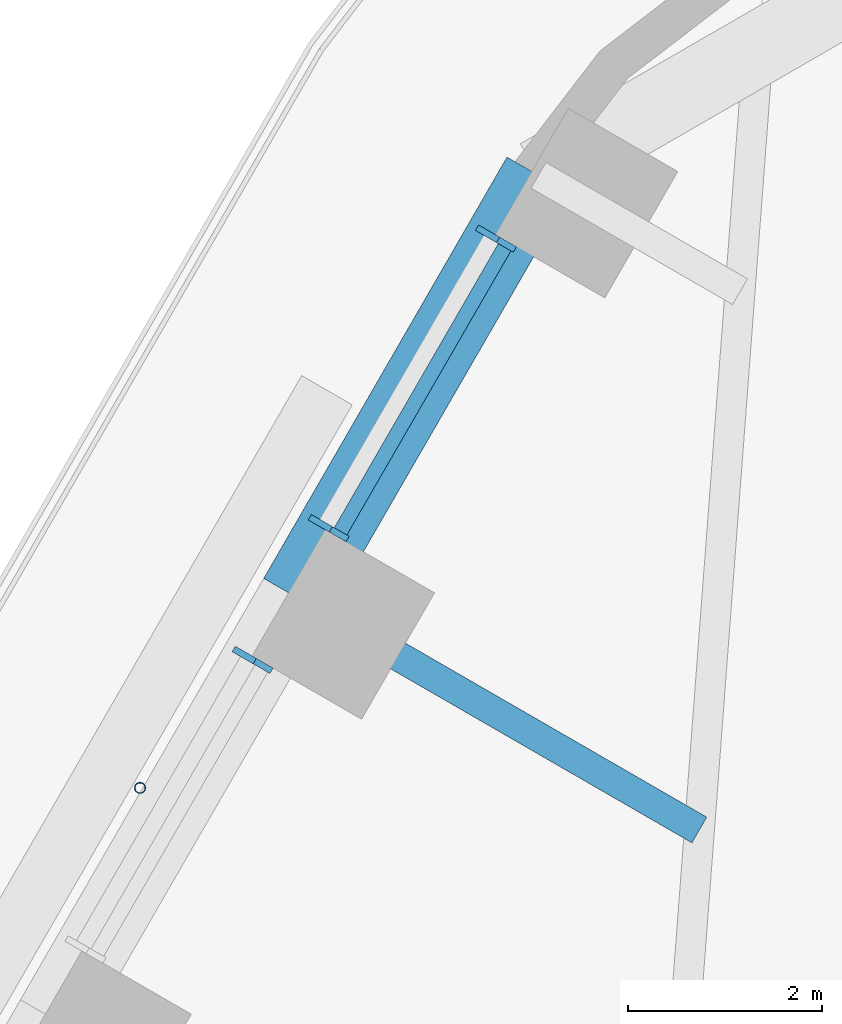
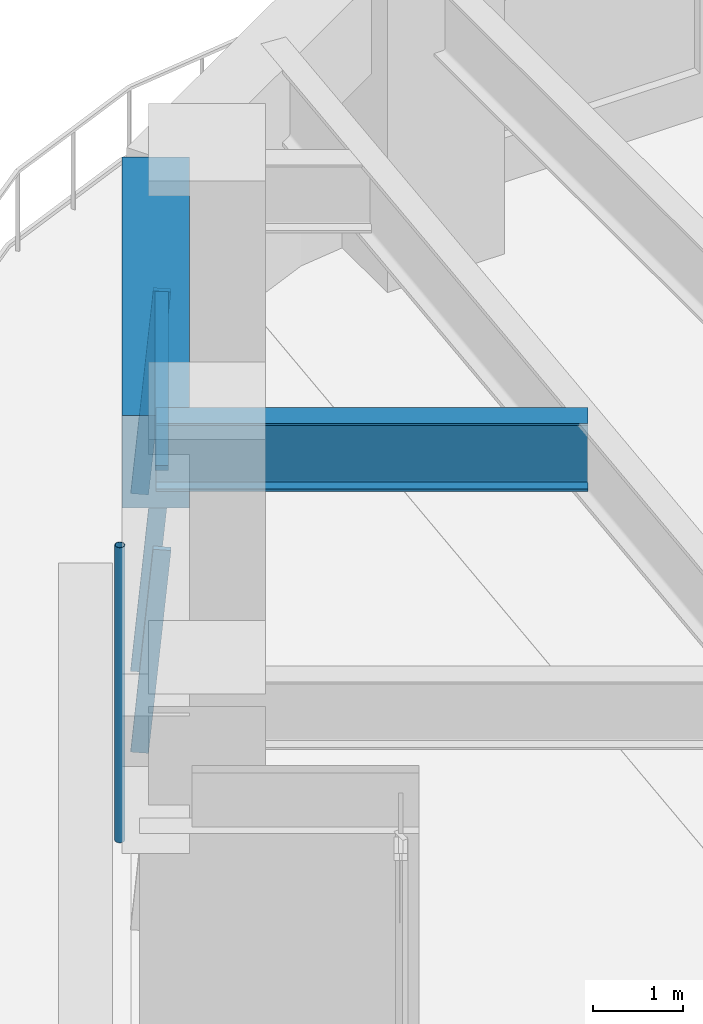
# One storey, part 9 of 24: 5 members, 2 beams, 2 elements without a shape of their own.
"""IFC4 building model written with IfcOpenShell, lengths in metres."""

from ifc_helpers import new_model, si_unit, direction, frame, origin, origin_2d, place, context, subcontext, project, spatial, rectangle, hollow_circle, i_section, extrude, material, material_profile, profile_set, type_object, element, aggregate, save


model = new_model("IFC4")

# Units and contexts
model_context = context("Model", 3, precision=1e-05, world=origin(), true_north=direction((0.0, 1.0)))
body_context = subcontext(model_context, "Body", "Model", "MODEL_VIEW")
ifc_project = project(units=[si_unit("LENGTHUNIT", "METRE"), si_unit("AREAUNIT", "SQUARE_METRE"), si_unit("VOLUMEUNIT", "CUBIC_METRE"), si_unit("PLANEANGLEUNIT", "RADIAN"), si_unit("MASSUNIT", "GRAM", prefix="KILO")], contexts=[model_context])

# Site, building, storey
site_placement = place(None, origin())
site = spatial("IfcSite", under=ifc_project, at=site_placement, CompositionType="ELEMENT")
building_placement = place(site_placement, origin())
building = spatial("IfcBuilding", under=site, at=building_placement, Name="Tarfa Lantern Tower", CompositionType="ELEMENT")
storey_placement = place(building_placement, frame((0.0, 0.0, 186.699951171875)))
storey = spatial("IfcBuildingStorey", under=building, at=storey_placement, Name="L42", CompositionType="ELEMENT", Elevation=186.699951171875)

# Curtain wall, members
ifc_material_1 = material(Name="Aluminium framed curtain wall", Category="aluminium")
curtain_wall_type = type_object("IfcCurtainWallType", Name="CW2 CANTED GLAZING MID ZONE 2750", PredefinedType="USERDEFINED", material=ifc_material_1)
curtain_wall_1_placement = place(storey_placement, origin())
curtain_wall_1 = element("IfcCurtainWall", 1, at=curtain_wall_1_placement, inside=storey, type_object=curtain_wall_type, Name="CW2 NW L42", ObjectType="CURTAIN WALL", PredefinedType="USERDEFINED")
ifc_material_2 = material(Name="Aluminium mullion", Category="aluminium")
ifc_material_profile_1 = material_profile(ifc_material_2, rectangle(XDim=0.06494140625, YDim=0.199951171875, at=origin_2d()), Name="AL MULLION 65x200")
ifc_profile_set_1 = profile_set([ifc_material_profile_1], Name="Aluminium mullion")
member_type_1 = type_object("IfcMemberType", Name="CWM1 MULLION 65x200", PredefinedType="MULLION", material=ifc_profile_set_1)
member_1_placement = place(storey_placement, frame((-20.078857421875, 28.022216796875, 0.0), z_axis=(0.078422950161, -0.045267813396, 0.995891894715), x_axis=(0.499919672301, 0.866071776036, 0.0)))
member_1 = element("IfcMember", 2, at=member_1_placement, type_object=member_type_1, Name="CW2 mullion 1", PredefinedType="MULLION", context=body_context, shape_type="SweptSolid", body=[
    extrude(rectangle(XDim=0.06494140625, YDim=0.199951171875, at=origin_2d()), origin(), (0.0, 0.0, 1.0), 2.76123046875),
])
member_2_placement = place(storey_placement, frame((-21.79833984375, 25.04443359375, 0.0), z_axis=(0.078422950161, -0.045267813396, 0.995891894715), x_axis=(0.499919672301, 0.866071776036, 0.0)))
member_2 = element("IfcMember", 3, at=member_2_placement, type_object=member_type_1, Name="CW2 mullion 2", PredefinedType="MULLION", context=body_context, shape_type="SweptSolid", body=[
    extrude(rectangle(XDim=0.06494140625, YDim=0.199951171875, at=origin_2d()), origin(), (0.0, 0.0, 1.0), 2.76123046875),
])

# Curtain wall, member
curtain_wall_2_placement = place(storey_placement, origin())
curtain_wall_2 = element("IfcCurtainWall", 4, at=curtain_wall_2_placement, inside=storey, type_object=curtain_wall_type, Name="CW2 NW L42", ObjectType="CURTAIN WALL", PredefinedType="USERDEFINED")
member_3_placement = place(storey_placement, frame((-22.580810546875, 23.68896484375, 0.0), z_axis=(0.078422950161, -0.045267813396, 0.995891894715), x_axis=(0.499919672301, 0.866071776036, 0.0)))
member_3 = element("IfcMember", 5, at=member_3_placement, type_object=member_type_1, Name="CW2 mullion 1", PredefinedType="MULLION", context=body_context, shape_type="SweptSolid", body=[
    extrude(rectangle(XDim=0.06494140625, YDim=0.199951171875, at=origin_2d()), origin(), (0.0, 0.0, 1.0), 2.76123046875),
])
aggregate(curtain_wall_2, [member_3])

# Member
ifc_material_3 = material(Name="Aluminium transom", Category="aluminium")
ifc_material_profile_2 = material_profile(ifc_material_3, rectangle(XDim=0.14990234375, YDim=0.06494140625, at=origin_2d()), Name="AL TRANSOM 150x65")
ifc_profile_set_2 = profile_set([ifc_material_profile_2], Name="Aluminium transom")
member_type_2 = type_object("IfcMemberType", Name="CWT1 TRANSOM 150x65", PredefinedType="USERDEFINED", material=ifc_profile_set_2)
member_4_placement = place(storey_placement, frame((-19.881103515625, 27.87060546875, 2.717529296875), z_axis=(-0.500046095904, -0.865998788666, 0.0), x_axis=(0.865998788666, -0.500046095904, 0.0)))
member_4 = element("IfcMember", 6, at=member_4_placement, type_object=member_type_2, Name="CW2 transom 1.2", ObjectType="TRANSOM", PredefinedType="USERDEFINED", context=body_context, shape_type="SweptSolid", body=[
    extrude(rectangle(XDim=0.14990234375, YDim=0.06494140625, at=origin_2d()), origin(), (0.0, 0.0, 1.0), 3.373779296875),
])

aggregate(curtain_wall_1, [member_1, member_2, member_4])

# Beam
ifc_material_4 = material(Name="Concrete C80/95", Category="concrete")
ifc_material_profile_3 = material_profile(ifc_material_4, rectangle(XDim=0.75, YDim=1.25, at=origin_2d()), Name="RC 750x1250")
ifc_profile_set_3 = profile_set([ifc_material_profile_3], Name="Concrete C80/95")
beam_type_1 = type_object("IfcBeamType", Name="EB2 RC 750x1250", PredefinedType="SPANDREL", material=ifc_profile_set_3)
beam_1_placement = place(storey_placement, frame((-19.53173828125, 28.610107421875, 3.375), z_axis=(-0.500001197378, -0.866024712477, 0.0), x_axis=(0.866024712477, -0.500001197378, 0.0)))
element("IfcBeam", 7, at=beam_1_placement, inside=storey, type_object=beam_type_1, Name="Edge beam NW0", PredefinedType="SPANDREL", context=body_context, shape_type="SweptSolid", body=[
    extrude(rectangle(XDim=0.75, YDim=1.25, at=origin_2d()), origin(), (0.0, 0.0, 1.0), 5.00390625),
])

# Member
ifc_material_5 = material(Name="Steel S355", Category="steel")
ifc_material_profile_4 = material_profile(ifc_material_5, hollow_circle(Radius=0.05712890625, WallThickness=0.00634765625, at=origin_2d()), Name="CHS114.3x6.3")
ifc_profile_set_4 = profile_set([ifc_material_profile_4], Name="Steel S355")
member_type_3 = type_object("IfcMemberType", Name="TR1 GREEN WALL TRELLIS CHS114.3x6.3", PredefinedType="USERDEFINED", material=ifc_profile_set_4)
member_5_placement = place(storey_placement, frame((-23.630859375, 22.31005859375, 0.0), z_axis=(0.0, 0.0, 1.0), x_axis=(1.0, 0.0, 0.0)))
element("IfcMember", 8, at=member_5_placement, inside=storey, type_object=member_type_3, Name="Trellis post NW 1", ObjectType="TRELLIS", PredefinedType="USERDEFINED", context=body_context, shape_type="SweptSolid", body=[
    extrude(hollow_circle(Radius=0.05712890625, WallThickness=0.00634765625, at=origin_2d()), origin(), (0.0, 0.0, 1.0), 4.0),
])

# Beam
ifc_material_6 = material(Name="Steel S460M", Category="steel")
ifc_material_profile_5 = material_profile(ifc_material_6, i_section(OverallWidth=0.305419921875, OverallDepth=0.91845703125, WebThickness=0.017333984375, FlangeThickness=0.02783203125, FilletRadius=0.01904296875, at=origin_2d()), Name="UB914x305x253")
ifc_profile_set_5 = profile_set([ifc_material_profile_5], Name="Steel S460M")
beam_type_2 = type_object("IfcBeamType", Name="UB914x305x253", PredefinedType="BEAM", material=ifc_profile_set_5)
beam_2_placement = place(storey_placement, frame((-22.03369140625, 24.276611328125, 3.540771484375), z_axis=(0.866030550462, -0.499991085587, 0.0), x_axis=(0.499991085587, 0.866030550462, 0.0)))
element("IfcBeam", 9, at=beam_2_placement, inside=storey, type_object=beam_type_2, Name="Floor beam NW1", PredefinedType="BEAM", context=body_context, shape_type="SweptSolid", body=[
    extrude(i_section(OverallWidth=0.305419921875, OverallDepth=0.91845703125, WebThickness=0.017333984375, FlangeThickness=0.02783203125, FilletRadius=0.01904296875, at=origin_2d()), origin(), (0.0, 0.0, 1.0), 4.798828125),
])

save(model, "model.ifc")
